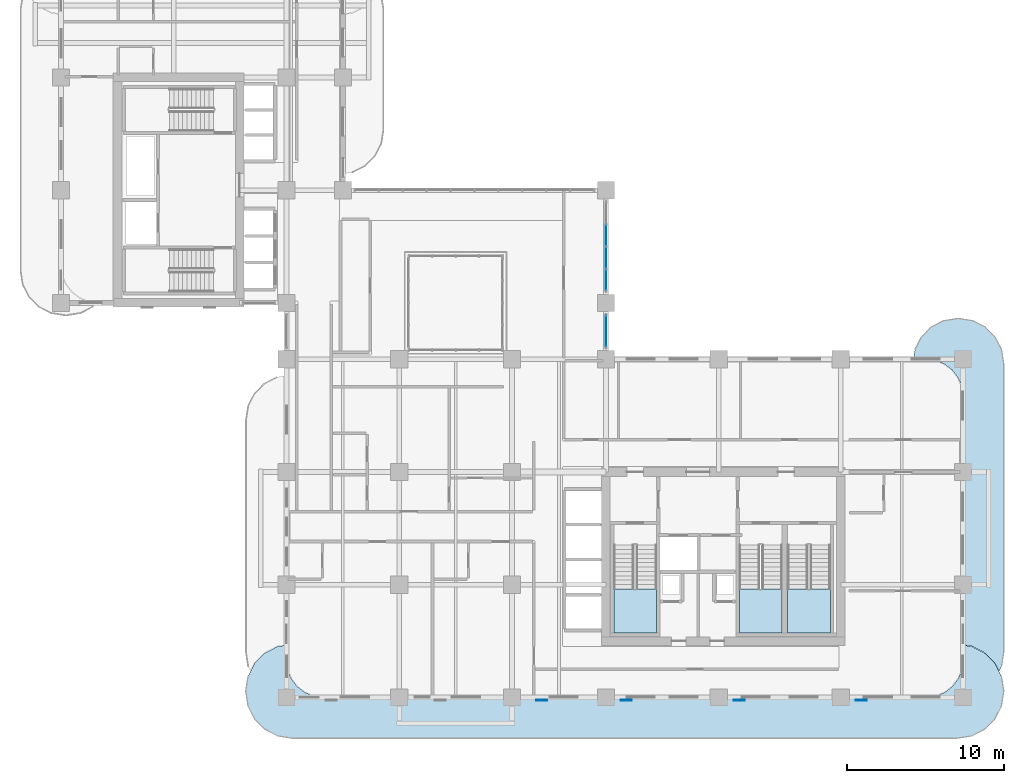
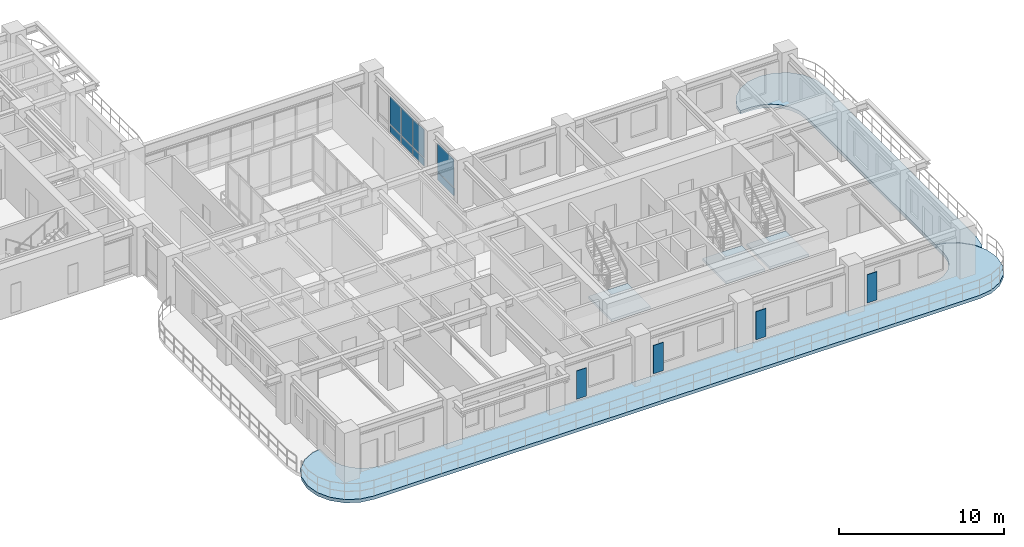
# One storey, part 10 of 22: 12 plates, 5 slabs, 5 elements without a shape of their own.
"""IFC4 building model written with IfcOpenShell, lengths in metres."""

from ifc_helpers import new_model, si_unit, derived_unit, direction, frame, origin, origin_2d, place, context, subcontext, project, spatial, polyline, rectangle, outline, extrude, source, transform, mapped, material, layer, layer_set, type_object, type_shapes, element, aggregate, save


model = new_model("IFC4")

# Units and contexts
model_context = context("Model", 3, precision=1e-05, world=origin(), true_north=direction((0.0, 1.0)))
body_context = subcontext(model_context, "Body", "Model", "MODEL_VIEW")
ifc_project = project(units=[si_unit("LENGTHUNIT", "METRE"), si_unit("AREAUNIT", "SQUARE_METRE"), si_unit("VOLUMEUNIT", "CUBIC_METRE"), si_unit("PLANEANGLEUNIT", "RADIAN"), si_unit("MASSUNIT", "GRAM", prefix="KILO"), si_unit("THERMODYNAMICTEMPERATUREUNIT", "KELVIN"), si_unit("POWERUNIT", "WATT"), derived_unit("THERMALTRANSMITTANCEUNIT", [(si_unit("POWERUNIT", "WATT"), 1), (si_unit("AREAUNIT", "SQUARE_METRE"), -1), (si_unit("THERMODYNAMICTEMPERATUREUNIT", "KELVIN"), -1)])], contexts=[model_context])

# Site, building, storey
site_placement = place(None, origin())
site = spatial("IfcSite", under=ifc_project, at=site_placement, CompositionType="ELEMENT")
building_placement = place(site_placement, origin())
building = spatial("IfcBuilding", under=site, at=building_placement, Name="Zahravan Archway Hotel and Residences", CompositionType="ELEMENT")
storey_placement = place(building_placement, frame((0.0, 0.0, 91.60009765625)))
storey = spatial("IfcBuildingStorey", under=building, at=storey_placement, Name="L22", CompositionType="ELEMENT", Elevation=91.60009765625)

# Slabs
ifc_material_1 = material(Name="Concrete C45/55", Category="concrete")
ifc_layer_1 = layer(ifc_material_1, 0.25, Name="Concrete C45/55", Category="concrete")
ifc_layer_set_1 = layer_set([ifc_layer_1], Name="Concrete C45/55")
slab_type_1 = type_object("IfcSlabType", Name="SLB-BALC-250", PredefinedType="FLOOR", material=ifc_layer_set_1)
slab_1_placement = place(storey_placement, frame((0.0, 0.0, -0.25)))
element("IfcSlab", 1, at=slab_1_placement, inside=storey, type_object=slab_type_1, Name="L22 Wing A South Rounded Balcony Band", PredefinedType="FLOOR", context=body_context, shape_type="SweptSolid", body=[
    extrude(outline(polyline([(58.16162109375, 3.255615234375), (58.98388671875, 2.836669921875), (59.63671875, 2.18408203125), (60.0556640625, 1.361572265625), (60.199951171875, 0.449951171875), (60.199951171875, 0.35009765625), (60.0556640625, -0.5615234375), (59.63671875, -1.384033203125), (58.98388671875, -2.03662109375), (58.16162109375, -2.45556640625), (57.25, -2.60009765625), (14.75, -2.60009765625), (13.83837890625, -2.45556640625), (13.01611328125, -2.03662109375), (12.36328125, -1.384033203125), (11.9443359375, -0.5615234375), (11.800048828125, 0.35009765625), (11.800048828125, 0.449951171875), (11.9443359375, 1.361572265625), (12.36328125, 2.18408203125), (13.01611328125, 2.836669921875), (13.83837890625, 3.255615234375), (14.3798828125, 3.34130859375), (14.3798828125, 2.39990234375), (14.380126953125, 2.3974609375), (14.4619140625, 1.776123046875), (14.46240234375, 1.7744140625), (14.462646484375, 1.772705078125), (14.46337890625, 1.77099609375), (14.702880859375, 1.1923828125), (14.703857421875, 1.19091796875), (14.70458984375, 1.189208984375), (14.70556640625, 1.187744140625), (15.0869140625, 0.690673828125), (15.088134765625, 0.689453125), (15.08935546875, 0.688232421875), (15.0908203125, 0.68701171875), (15.587890625, 0.3056640625), (15.58935546875, 0.3046875), (15.5908203125, 0.3037109375), (15.59228515625, 0.302978515625), (16.171142578125, 0.063232421875), (16.1728515625, 0.062744140625), (16.174560546875, 0.062255859375), (16.17626953125, 0.06201171875), (16.79736328125, -0.019775390625), (16.800048828125, -0.02001953125), (55.199951171875, -0.02001953125), (55.20263671875, -0.019775390625), (55.82373046875, 0.06201171875), (55.825439453125, 0.062255859375), (55.8271484375, 0.062744140625), (55.828857421875, 0.063232421875), (56.40771484375, 0.302978515625), (56.4091796875, 0.3037109375), (56.41064453125, 0.3046875), (56.412109375, 0.3056640625), (56.9091796875, 0.68701171875), (56.91064453125, 0.688232421875), (56.911865234375, 0.689453125), (56.9130859375, 0.690673828125), (57.29443359375, 1.187744140625), (57.29541015625, 1.189208984375), (57.296142578125, 1.19091796875), (57.297119140625, 1.1923828125), (57.53662109375, 1.77099609375), (57.537353515625, 1.772705078125), (57.53759765625, 1.7744140625), (57.5380859375, 1.776123046875), (57.619873046875, 2.3974609375), (57.6201171875, 2.39990234375), (57.6201171875, 3.34130859375), (58.16162109375, 3.255615234375)])), origin(), (0.0, 0.0, 1.0), 0.25),
])
slab_2_placement = place(storey_placement, frame((0.0, 0.0, -0.25)))
element("IfcSlab", 2, at=slab_2_placement, inside=storey, type_object=slab_type_1, Name="L22 Wing A East Rounded Balcony Band", PredefinedType="FLOOR", context=body_context, shape_type="SweptSolid", body=[
    extrude(outline(polyline([(54.53955078125, 22.230712890625), (54.9443359375, 23.025146484375), (55.57470703125, 23.65576171875), (56.369384765625, 24.060546875), (57.25, 24.199951171875), (57.35009765625, 24.199951171875), (58.230712890625, 24.060546875), (59.025146484375, 23.65576171875), (59.65576171875, 23.025146484375), (60.060546875, 22.230712890625), (60.199951171875, 21.35009765625), (60.199951171875, 2.85009765625), (60.060546875, 1.96923828125), (59.91455078125, 1.6826171875), (59.654296875, 2.193115234375), (59.6533203125, 2.19482421875), (59.652099609375, 2.196533203125), (59.650634765625, 2.197998046875), (58.998046875, 2.8505859375), (58.99658203125, 2.85205078125), (58.994873046875, 2.853515625), (58.9931640625, 2.8544921875), (58.170654296875, 3.2734375), (58.168701171875, 3.2744140625), (58.166748046875, 3.27490234375), (58.164794921875, 3.275390625), (57.623046875, 3.361083984375), (57.62109375, 3.361328125), (57.6201171875, 3.361328125), (57.6201171875, 19.199951171875), (57.619873046875, 19.20263671875), (57.5380859375, 19.82373046875), (57.53759765625, 19.825439453125), (57.537353515625, 19.8271484375), (57.53662109375, 19.828857421875), (57.297119140625, 20.40771484375), (57.296142578125, 20.4091796875), (57.29541015625, 20.41064453125), (57.29443359375, 20.412109375), (56.9130859375, 20.9091796875), (56.911865234375, 20.91064453125), (56.91064453125, 20.911865234375), (56.9091796875, 20.9130859375), (56.412109375, 21.29443359375), (56.41064453125, 21.29541015625), (56.4091796875, 21.296142578125), (56.40771484375, 21.297119140625), (55.828857421875, 21.53662109375), (55.8271484375, 21.537353515625), (55.825439453125, 21.53759765625), (55.82373046875, 21.5380859375), (55.20263671875, 21.619873046875), (55.199951171875, 21.6201171875), (54.44287109375, 21.6201171875), (54.53955078125, 22.230712890625)])), origin(), (0.0, 0.0, 1.0), 0.25),
])

# Stair, slab
ifc_material_2 = material(Name="Concrete C50/60", Category="concrete")
stair_type = type_object("IfcStairType", Name="STR-CORE-1300", PredefinedType="HALF_TURN_STAIR", material=ifc_material_2)
stair_1_placement = place(storey_placement, origin())
stair_1 = element("IfcStair", 3, at=stair_1_placement, inside=storey, type_object=stair_type, Name="L22 Core A Exit Stair 1", PredefinedType="HALF_TURN_STAIR")
ifc_layer_2 = layer(ifc_material_2, 0.199951171875, Name="Concrete C50/60", Category="concrete")
ifc_layer_set_2 = layer_set([ifc_layer_2], Name="Concrete C50/60")
slab_type_2 = type_object("IfcSlabType", Name="SLB-LND-200", PredefinedType="LANDING", material=ifc_layer_set_2)
slab_3_placement = place(storey_placement, frame((0.0, 0.0, 1.64990234375)))
slab_3 = element("IfcSlab", 4, at=slab_3_placement, type_object=slab_type_2, Name="ST-A1 landing 1", PredefinedType="LANDING", context=body_context, shape_type="SweptSolid", body=[
    extrude(outline(polyline([(35.300048828125, 6.929931640625), (35.300048828125, 4.10009765625), (38.0400390625, 4.10009765625), (38.0400390625, 6.929931640625), (35.300048828125, 6.929931640625)])), origin(), (0.0, 0.0, 1.0), 0.199951171875),
])
aggregate(stair_1, [slab_3])

stair_2_placement = place(storey_placement, origin())
stair_2 = element("IfcStair", 5, at=stair_2_placement, inside=storey, type_object=stair_type, Name="L22 Core A Exit Stair 2", PredefinedType="HALF_TURN_STAIR")
slab_4_placement = place(storey_placement, frame((0.0, 0.0, 1.64990234375)))
slab_4 = element("IfcSlab", 6, at=slab_4_placement, type_object=slab_type_2, Name="ST-A2 landing 1", PredefinedType="LANDING", context=body_context, shape_type="SweptSolid", body=[
    extrude(outline(polyline([(43.320068359375, 6.929931640625), (43.320068359375, 4.10009765625), (46.06005859375, 4.10009765625), (46.06005859375, 6.929931640625), (43.320068359375, 6.929931640625)])), origin(), (0.0, 0.0, 1.0), 0.199951171875),
])
aggregate(stair_2, [slab_4])

stair_3_placement = place(storey_placement, origin())
stair_3 = element("IfcStair", 7, at=stair_3_placement, inside=storey, type_object=stair_type, Name="L22 Core A Exit Stair 3", PredefinedType="HALF_TURN_STAIR")
slab_5_placement = place(storey_placement, frame((0.0, 0.0, 1.64990234375)))
slab_5 = element("IfcSlab", 8, at=slab_5_placement, type_object=slab_type_2, Name="ST-A3 landing 1", PredefinedType="LANDING", context=body_context, shape_type="SweptSolid", body=[
    extrude(outline(polyline([(46.39990234375, 6.929931640625), (46.39990234375, 4.10009765625), (49.139892578125, 4.10009765625), (49.139892578125, 6.929931640625), (46.39990234375, 6.929931640625)])), origin(), (0.0, 0.0, 1.0), 0.199951171875),
])
aggregate(stair_3, [slab_5])

# Plates
ifc_material_3 = material(Name="Perforated Cast Bronze Jali Lattice")
ifc_layer_3 = layer(ifc_material_3, 0.044921875, Name="Perforated Cast Bronze Jali Lattice")
ifc_layer_set_3 = layer_set([ifc_layer_3], Name="Perforated Cast Bronze Jali Lattice")
plate_type_1 = type_object("IfcPlateType", Name="PLT-JALI-BAY", PredefinedType="USERDEFINED", material=ifc_layer_set_3)
shared_shape_1 = source(origin(), body_context, "Body", "SweptSolid", [
    extrude(rectangle(XDim=0.699951171875, YDim=0.044921875, at=origin_2d()), origin(), (0.0, 0.0, 1.0), 2.10009765625),
])
type_shapes(plate_type_1, [shared_shape_1])
for number, where, z_axis, x_axis, name in (
    (9, (30.7080078125, -0.177978515625, 0.249755859375), (0.0, 0.0, 1.0), (1.0, 0.0, 0.0), "L22 Perforated Bronze Jali Pier Screen 03"),
    (10, (36.10009765625, -0.177978515625, 0.249755859375), (0.0, 0.0, 1.0), (1.0, 0.0, 0.0), "L22 Perforated Bronze Jali Pier Screen 04"),
    (11, (43.300048828125, -0.177978515625, 0.249755859375), (0.0, 0.0, 1.0), (1.0, 0.0, 0.0), "L22 Perforated Bronze Jali Pier Screen 05"),
    (12, (51.10009765625, -0.177978515625, 0.249755859375), (0.0, 0.0, 1.0), (1.0, 0.0, 0.0), "L22 Perforated Bronze Jali Pier Screen 06"),
):
    element("IfcPlate", number, at=place(storey_placement, frame(where, z_axis=z_axis, x_axis=x_axis)), inside=storey, type_object=plate_type_1, Name=name, ObjectType="SCREEN", PredefinedType="USERDEFINED", context=body_context, shape_type="MappedRepresentation", body=[
        mapped(shared_shape_1, transform((0.0, 0.0, 0.0), scale=1.0)),
    ])

# Curtain wall, plates
ifc_material_4 = material(Name="Bronze-Anodized Unitised Aluminium & Low-E Glass", Category="aluminium")
ifc_layer_4 = layer(ifc_material_4, 0.179931640625, Name="Bronze-Anodized Unitised Aluminium & Low-E Glass", Category="aluminium")
ifc_layer_set_4 = layer_set([ifc_layer_4], Name="Bronze-Anodized Unitised Aluminium & Low-E Glass")
curtain_wall_type = type_object("IfcCurtainWallType", Name="CW-ATR-GLAZ", PredefinedType="NOTDEFINED", material=ifc_layer_set_4)
curtain_wall_1_placement = place(storey_placement, origin())
curtain_wall_1 = element("IfcCurtainWall", 13, at=curtain_wall_1_placement, inside=storey, type_object=curtain_wall_type, Name="L22 Curtain Wall CW-L22-HNG-E-2", PredefinedType="NOTDEFINED")
ifc_material_5 = material(Name="Insulated Terracotta Spandrel Panel", Category="masonry")
ifc_layer_5 = layer(ifc_material_5, 0.0400390625, Name="Insulated Terracotta Spandrel Panel", Category="masonry")
ifc_layer_set_5 = layer_set([ifc_layer_5], Name="Insulated Terracotta Spandrel Panel")
plate_type_2 = type_object("IfcPlateType", Name="CWP-SPN-40", PredefinedType="SHEET", material=ifc_layer_set_5)
shared_shape_2 = source(origin(), body_context, "Body", "SweptSolid", [
    extrude(rectangle(XDim=1.340087890625, YDim=0.0400390625, at=origin_2d()), origin(), (0.0, 0.0, 1.0), 0.552490234375),
])
plate_1_placement = place(storey_placement, frame((34.800048828125, 26.669921875, 0.10009765625), z_axis=(0.0, 0.0, 1.0), x_axis=(0.0, 1.0, 0.0)))
plate_1 = element("IfcPlate", 14, at=plate_1_placement, type_object=plate_type_2, Name="CW-L22-HNG-E-2 Spandrel Panel 0", PredefinedType="SHEET", context=body_context, shape_type="MappedRepresentation", body=[
    mapped(shared_shape_2, transform((0.0, 0.0, 0.0), scale=1.0)),
])
plate_2_placement = place(storey_placement, frame((34.800048828125, 28.090087890625, 0.10009765625), z_axis=(0.0, 0.0, 1.0), x_axis=(0.0, 1.0, 0.0)))
plate_2 = element("IfcPlate", 15, at=plate_2_placement, type_object=plate_type_2, Name="CW-L22-HNG-E-2 Spandrel Panel 1", PredefinedType="SHEET", context=body_context, shape_type="MappedRepresentation", body=[
    mapped(shared_shape_2, transform((0.0, 0.0, 0.0), scale=1.0)),
])
plate_3_placement = place(storey_placement, frame((34.800048828125, 29.510009765625, 0.10009765625), z_axis=(0.0, 0.0, 1.0), x_axis=(0.0, 1.0, 0.0)))
plate_3 = element("IfcPlate", 16, at=plate_3_placement, type_object=plate_type_2, Name="CW-L22-HNG-E-2 Spandrel Panel 2", PredefinedType="SHEET", context=body_context, shape_type="MappedRepresentation", body=[
    mapped(shared_shape_2, transform((0.0, 0.0, 0.0), scale=1.0)),
])
ifc_material_6 = material(Name="Double-Silver Low-E Insulated Vision Glass", Category="glass")
ifc_layer_6 = layer(ifc_material_6, 0.028076171875, Name="Double-Silver Low-E Insulated Vision Glass", Category="glass")
ifc_layer_set_6 = layer_set([ifc_layer_6], Name="Double-Silver Low-E Insulated Vision Glass")
plate_type_3 = type_object("IfcPlateType", Name="CWP-GLZ-28", PredefinedType="CURTAIN_PANEL", material=ifc_layer_set_6)
shared_shape_3 = source(origin(), body_context, "Body", "SweptSolid", [
    extrude(rectangle(XDim=1.340087890625, YDim=0.028076171875, at=origin_2d()), origin(), (0.0, 0.0, 1.0), 2.052490234375),
])
plate_4_placement = place(storey_placement, frame((34.800048828125, 26.669921875, 0.732421875), z_axis=(0.0, 0.0, 1.0), x_axis=(0.0, 1.0, 0.0)))
plate_4 = element("IfcPlate", 17, at=plate_4_placement, type_object=plate_type_3, Name="CW-L22-HNG-E-2 Low-E Vision Panel 0", PredefinedType="CURTAIN_PANEL", context=body_context, shape_type="MappedRepresentation", body=[
    mapped(shared_shape_3, transform((0.0, 0.0, 0.0), scale=1.0)),
])
plate_5_placement = place(storey_placement, frame((34.800048828125, 28.090087890625, 0.732421875), z_axis=(0.0, 0.0, 1.0), x_axis=(0.0, 1.0, 0.0)))
plate_5 = element("IfcPlate", 18, at=plate_5_placement, type_object=plate_type_3, Name="CW-L22-HNG-E-2 Low-E Vision Panel 1", PredefinedType="CURTAIN_PANEL", context=body_context, shape_type="MappedRepresentation", body=[
    mapped(shared_shape_3, transform((0.0, 0.0, 0.0), scale=1.0)),
])
plate_6_placement = place(storey_placement, frame((34.800048828125, 29.510009765625, 0.732421875), z_axis=(0.0, 0.0, 1.0), x_axis=(0.0, 1.0, 0.0)))
plate_6 = element("IfcPlate", 19, at=plate_6_placement, type_object=plate_type_3, Name="CW-L22-HNG-E-2 Low-E Vision Panel 2", PredefinedType="CURTAIN_PANEL", context=body_context, shape_type="MappedRepresentation", body=[
    mapped(shared_shape_3, transform((0.0, 0.0, 0.0), scale=1.0)),
])
aggregate(curtain_wall_1, [plate_1, plate_4, plate_2, plate_5, plate_3, plate_6])

curtain_wall_2_placement = place(storey_placement, origin())
curtain_wall_2 = element("IfcCurtainWall", 20, at=curtain_wall_2_placement, inside=storey, type_object=curtain_wall_type, Name="L22 Curtain Wall CW-L22-HNG-E-1", PredefinedType="NOTDEFINED")
shared_shape_4 = source(origin(), body_context, "Body", "SweptSolid", [
    extrude(rectangle(XDim=2.0, YDim=0.0400390625, at=origin_2d()), origin(), (0.0, 0.0, 1.0), 0.552490234375),
])
plate_7_placement = place(storey_placement, frame((34.800048828125, 23.39990234375, 0.10009765625), z_axis=(0.0, 0.0, 1.0), x_axis=(0.0, 1.0, 0.0)))
plate_7 = element("IfcPlate", 21, at=plate_7_placement, type_object=plate_type_2, Name="CW-L22-HNG-E-1 Spandrel Panel 0", PredefinedType="SHEET", context=body_context, shape_type="MappedRepresentation", body=[
    mapped(shared_shape_4, transform((0.0, 0.0, 0.0), scale=1.0)),
])
shared_shape_5 = source(origin(), body_context, "Body", "SweptSolid", [
    extrude(rectangle(XDim=2.0, YDim=0.028076171875, at=origin_2d()), origin(), (0.0, 0.0, 1.0), 2.052490234375),
])
plate_8_placement = place(storey_placement, frame((34.800048828125, 23.39990234375, 0.732421875), z_axis=(0.0, 0.0, 1.0), x_axis=(0.0, 1.0, 0.0)))
plate_8 = element("IfcPlate", 22, at=plate_8_placement, type_object=plate_type_3, Name="CW-L22-HNG-E-1 Low-E Vision Panel 0", PredefinedType="CURTAIN_PANEL", context=body_context, shape_type="MappedRepresentation", body=[
    mapped(shared_shape_5, transform((0.0, 0.0, 0.0), scale=1.0)),
])
aggregate(curtain_wall_2, [plate_7, plate_8])

save(model, "model.ifc")
